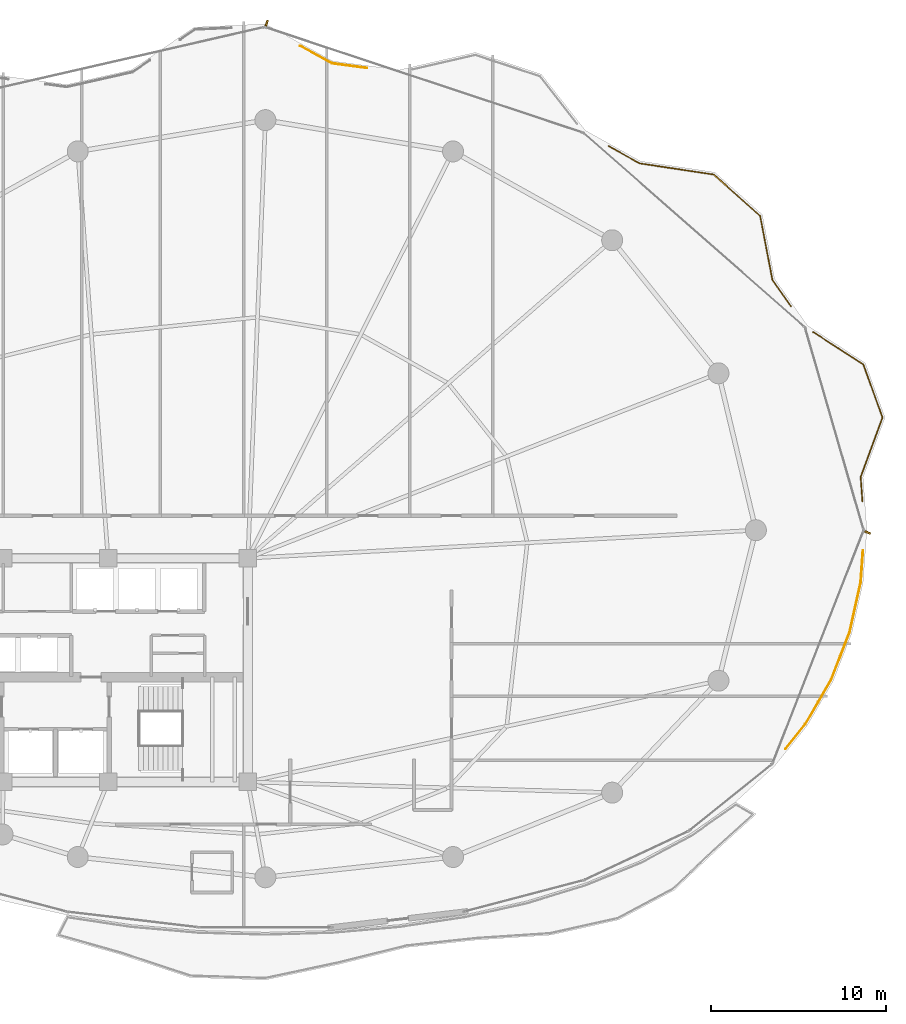
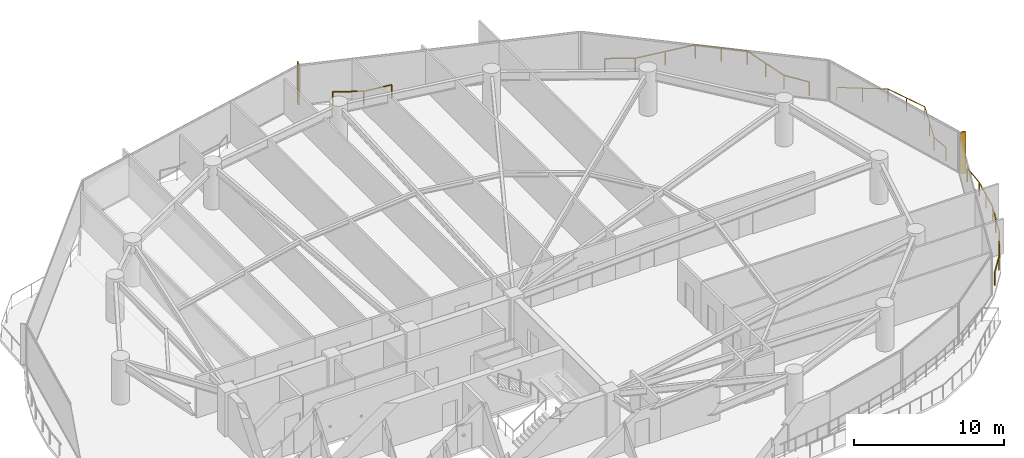
# One storey, part 34 of 34: 4 railings, 2 shading devices.
"""IFC4 building model written with IfcOpenShell, lengths in metres."""

from ifc_helpers import new_model, si_unit, direction, frame, origin, origin_2d, place, context, subcontext, project, spatial, rectangle, extrude, material, type_object, element, save


model = new_model("IFC4")

# Units and contexts
model_context = context("Model", 3, precision=1e-05, world=origin(), true_north=direction((0.0, 1.0)))
body_context = subcontext(model_context, "Body", "Model", "MODEL_VIEW")
ifc_project = project(units=[si_unit("LENGTHUNIT", "METRE"), si_unit("AREAUNIT", "SQUARE_METRE"), si_unit("VOLUMEUNIT", "CUBIC_METRE"), si_unit("PLANEANGLEUNIT", "RADIAN"), si_unit("MASSUNIT", "GRAM", prefix="KILO")], contexts=[model_context])

# Site, building, storey
site_placement = place(None, origin())
site = spatial("IfcSite", under=ifc_project, at=site_placement, CompositionType="ELEMENT")
building_placement = place(site_placement, origin())
building = spatial("IfcBuilding", under=site, at=building_placement, Name="Kazevale Care Tower and Concert Hall", CompositionType="ELEMENT")
storey_placement = place(building_placement, frame((0.0, 0.0, 174.60009765625)))
storey = spatial("IfcBuildingStorey", under=building, at=storey_placement, Name="L46", CompositionType="ELEMENT", Elevation=174.60009765625)

# Railings
ifc_material_1 = material(Name="Anodised Bronze Aluminium and Laminated Glass", Category="aluminium")
railing_type = type_object("IfcRailingType", Name="Balcony and Terrace Balustrade 1120", PredefinedType="BALUSTRADE", material=ifc_material_1)
railing_1_placement = place(storey_placement, frame((46.9970703125, 65.69091796875, 0.0)))
element("IfcRailing", 1, at=railing_1_placement, inside=storey, type_object=railing_type, Name="rail:L46:perim:7", PredefinedType="BALUSTRADE", context=body_context, shape_type="SweptSolid", body=[
    extrude(rectangle(XDim=0.048095703125, YDim=0.048095703125, at=origin_2d()), frame((0.0, 0.0, 1.09619140625), z_axis=(0.87612356574, -0.482086607939, 0.0), x_axis=(0.482086607939, 0.87612356574, 0.0)), (0.0, 0.0, 1.0), 2.065673828125),
    extrude(rectangle(XDim=0.048095703125, YDim=0.048095703125, at=origin_2d()), frame((1.809814453125, -0.995849609375, 1.09619140625), z_axis=(0.991221543474, -0.132211390405, 0.0), x_axis=(0.132211390405, 0.991221543474, 0.0)), (0.0, 0.0, 1.0), 2.0126953125),
    extrude(rectangle(XDim=0.0419921875, YDim=0.0419921875, at=origin_2d()), origin(), (0.0, 0.0, 1.0), 1.072021484375),
    extrude(rectangle(XDim=0.0419921875, YDim=0.0419921875, at=origin_2d()), frame((1.809814453125, -0.995849609375, 0.0)), (0.0, 0.0, 1.0), 1.072021484375),
    extrude(rectangle(XDim=0.0419921875, YDim=0.0419921875, at=origin_2d()), frame((3.804931640625, -1.261962890625, 0.0)), (0.0, 0.0, 1.0), 1.072021484375),
])
railing_2_placement = place(storey_placement, frame((64.614990234375, 59.969970703125, 0.0)))
element("IfcRailing", 2, at=railing_2_placement, inside=storey, type_object=railing_type, Name="rail:L46:perim:9", PredefinedType="BALUSTRADE", context=body_context, shape_type="SweptSolid", body=[
    extrude(rectangle(XDim=0.048095703125, YDim=0.048095703125, at=origin_2d()), frame((0.0, 0.0, 1.09619140625), z_axis=(0.873734672104, -0.486402840003, 0.0), x_axis=(0.486402840003, 0.873734672104, 0.0)), (0.0, 0.0, 1.0), 2.04541015625),
    extrude(rectangle(XDim=0.048095703125, YDim=0.048095703125, at=origin_2d()), frame((1.787109375, -0.994873046875, 1.09619140625), z_axis=(0.988889933801, -0.148649584013, 0.0), x_axis=(0.148649584013, 0.988889933801, 0.0)), (0.0, 0.0, 1.0), 4.28662109375),
    extrude(rectangle(XDim=0.048095703125, YDim=0.048095703125, at=origin_2d()), frame((6.026123046875, -1.632080078125, 1.09619140625), z_axis=(0.746657358329, -0.66520883131, 0.0), x_axis=(0.66520883131, 0.746657358329, 0.0)), (0.0, 0.0, 1.0), 3.549072265625),
    extrude(rectangle(XDim=0.048095703125, YDim=0.048095703125, at=origin_2d()), frame((8.676025390625, -3.992919921875, 1.09619140625), z_axis=(0.188517658656, -0.982069800154, 0.0), x_axis=(0.982069800154, 0.188517658656, 0.0)), (0.0, 0.0, 1.0), 3.73486328125),
    extrude(rectangle(XDim=0.048095703125, YDim=0.048095703125, at=origin_2d()), frame((9.380126953125, -7.660888671875, 1.09619140625), z_axis=(0.575885416581, -0.817530419599, 0.0), x_axis=(0.817530419599, 0.575885416581, 0.0)), (0.0, 0.0, 1.0), 1.850830078125),
    extrude(rectangle(XDim=0.0419921875, YDim=0.0419921875, at=origin_2d()), origin(), (0.0, 0.0, 1.0), 1.072021484375),
    extrude(rectangle(XDim=0.0419921875, YDim=0.0419921875, at=origin_2d()), frame((1.787109375, -0.994873046875, 0.0)), (0.0, 0.0, 1.0), 1.072021484375),
    extrude(rectangle(XDim=0.0419921875, YDim=0.0419921875, at=origin_2d()), frame((3.90673828125, -1.3134765625, 0.0)), (0.0, 0.0, 1.0), 1.072021484375),
    extrude(rectangle(XDim=0.0419921875, YDim=0.0419921875, at=origin_2d()), frame((6.026123046875, -1.632080078125, 0.0)), (0.0, 0.0, 1.0), 1.072021484375),
    extrude(rectangle(XDim=0.0419921875, YDim=0.0419921875, at=origin_2d()), frame((7.35107421875, -2.8125, 0.0)), (0.0, 0.0, 1.0), 1.072021484375),
    extrude(rectangle(XDim=0.0419921875, YDim=0.0419921875, at=origin_2d()), frame((8.676025390625, -3.992919921875, 0.0)), (0.0, 0.0, 1.0), 1.072021484375),
    extrude(rectangle(XDim=0.0419921875, YDim=0.0419921875, at=origin_2d()), frame((9.028076171875, -5.826904296875, 0.0)), (0.0, 0.0, 1.0), 1.072021484375),
    extrude(rectangle(XDim=0.0419921875, YDim=0.0419921875, at=origin_2d()), frame((9.380126953125, -7.660888671875, 0.0)), (0.0, 0.0, 1.0), 1.072021484375),
    extrude(rectangle(XDim=0.0419921875, YDim=0.0419921875, at=origin_2d()), frame((10.446044921875, -9.174072265625, 0.0)), (0.0, 0.0, 1.0), 1.072021484375),
])
railing_3_placement = place(storey_placement, frame((79.176025390625, 36.844970703125, 0.0)))
element("IfcRailing", 3, at=railing_3_placement, inside=storey, type_object=railing_type, Name="rail:L46:perim:10", PredefinedType="BALUSTRADE", context=body_context, shape_type="SweptSolid", body=[
    extrude(rectangle(XDim=0.048095703125, YDim=0.048095703125, at=origin_2d()), frame((0.0, 0.0, 1.09619140625), z_axis=(-0.071578588161, -0.997434963151, 0.0), x_axis=(0.997434963151, -0.071578588161, 0.0)), (0.0, 0.0, 1.0), 1.83154296875),
    extrude(rectangle(XDim=0.048095703125, YDim=0.048095703125, at=origin_2d()), frame((-0.131103515625, -1.826904296875, 1.09619140625), z_axis=(-0.217745961145, -0.9760054797, 0.0), x_axis=(0.9760054797, -0.217745961145, 0.0)), (0.0, 0.0, 1.0), 2.94775390625),
    extrude(rectangle(XDim=0.048095703125, YDim=0.048095703125, at=origin_2d()), frame((-0.77294921875, -4.703857421875, 1.09619140625), z_axis=(-0.363468066155, -0.931606657815, 0.0), x_axis=(0.931606657815, -0.363468066155, 0.0)), (0.0, 0.0, 1.0), 2.91650390625),
    extrude(rectangle(XDim=0.048095703125, YDim=0.048095703125, at=origin_2d()), frame((-1.8330078125, -7.4208984375, 1.09619140625), z_axis=(-0.502610267332, -0.864513111047, 0.0), x_axis=(0.864513111047, -0.502610267332, 0.0)), (0.0, 0.0, 1.0), 2.9150390625),
    extrude(rectangle(XDim=0.048095703125, YDim=0.048095703125, at=origin_2d()), frame((-3.298095703125, -9.94091796875, 1.09619140625), z_axis=(-0.628318296441, -0.777956373043, 0.0), x_axis=(0.777956373043, -0.628318296441, 0.0)), (0.0, 0.0, 1.0), 1.812744140625),
    extrude(rectangle(XDim=0.0419921875, YDim=0.0419921875, at=origin_2d()), origin(), (0.0, 0.0, 1.0), 1.072021484375),
    extrude(rectangle(XDim=0.0419921875, YDim=0.0419921875, at=origin_2d()), frame((-0.131103515625, -1.826904296875, 0.0)), (0.0, 0.0, 1.0), 1.072021484375),
    extrude(rectangle(XDim=0.0419921875, YDim=0.0419921875, at=origin_2d()), frame((-0.4521484375, -3.265380859375, 0.0)), (0.0, 0.0, 1.0), 1.072021484375),
    extrude(rectangle(XDim=0.0419921875, YDim=0.0419921875, at=origin_2d()), frame((-0.77294921875, -4.703857421875, 0.0)), (0.0, 0.0, 1.0), 1.072021484375),
    extrude(rectangle(XDim=0.0419921875, YDim=0.0419921875, at=origin_2d()), frame((-1.302978515625, -6.0625, 0.0)), (0.0, 0.0, 1.0), 1.072021484375),
    extrude(rectangle(XDim=0.0419921875, YDim=0.0419921875, at=origin_2d()), frame((-1.8330078125, -7.4208984375, 0.0)), (0.0, 0.0, 1.0), 1.072021484375),
    extrude(rectangle(XDim=0.0419921875, YDim=0.0419921875, at=origin_2d()), frame((-2.5654296875, -8.680908203125, 0.0)), (0.0, 0.0, 1.0), 1.072021484375),
    extrude(rectangle(XDim=0.0419921875, YDim=0.0419921875, at=origin_2d()), frame((-3.298095703125, -9.94091796875, 0.0)), (0.0, 0.0, 1.0), 1.072021484375),
    extrude(rectangle(XDim=0.0419921875, YDim=0.0419921875, at=origin_2d()), frame((-4.43701171875, -11.35107421875, 0.0)), (0.0, 0.0, 1.0), 1.072021484375),
])
railing_4_placement = place(storey_placement, frame((76.3359375, 49.324951171875, 0.0)))
element("IfcRailing", 4, at=railing_4_placement, inside=storey, type_object=railing_type, Name="rail:L46:perim:11", PredefinedType="BALUSTRADE", context=body_context, shape_type="SweptSolid", body=[
    extrude(rectangle(XDim=0.048095703125, YDim=0.048095703125, at=origin_2d()), frame((0.0, 0.0, 1.09619140625), z_axis=(0.838906479955, -0.544275590018, 0.0), x_axis=(0.544275590018, 0.838906479955, 0.0)), (0.0, 0.0, 1.0), 3.408203125),
    extrude(rectangle(XDim=0.048095703125, YDim=0.048095703125, at=origin_2d()), frame((2.859130859375, -1.85498046875, 1.09619140625), z_axis=(0.340056192401, -0.940405118026, 0.0), x_axis=(0.940405118026, 0.340056192401, 0.0)), (0.0, 0.0, 1.0), 3.219970703125),
    extrude(rectangle(XDim=0.048095703125, YDim=0.048095703125, at=origin_2d()), frame((3.9541015625, -4.883056640625, 1.09619140625), z_axis=(-0.344686514971, -0.938717852391, 0.0), x_axis=(0.938717852391, -0.344686514971, 0.0)), (0.0, 0.0, 1.0), 3.620849609375),
    extrude(rectangle(XDim=0.048095703125, YDim=0.048095703125, at=origin_2d()), frame((2.7060546875, -8.281982421875, 1.09619140625), z_axis=(0.071504807896, -0.997440255077, 0.0), x_axis=(0.997440255077, 0.071504807896, 0.0)), (0.0, 0.0, 1.0), 1.41357421875),
    extrude(rectangle(XDim=0.0419921875, YDim=0.0419921875, at=origin_2d()), origin(), (0.0, 0.0, 1.0), 1.072021484375),
    extrude(rectangle(XDim=0.0419921875, YDim=0.0419921875, at=origin_2d()), frame((1.4296875, -0.927490234375, 0.0)), (0.0, 0.0, 1.0), 1.072021484375),
    extrude(rectangle(XDim=0.0419921875, YDim=0.0419921875, at=origin_2d()), frame((2.859130859375, -1.85498046875, 0.0)), (0.0, 0.0, 1.0), 1.072021484375),
    extrude(rectangle(XDim=0.0419921875, YDim=0.0419921875, at=origin_2d()), frame((3.40673828125, -3.369140625, 0.0)), (0.0, 0.0, 1.0), 1.072021484375),
    extrude(rectangle(XDim=0.0419921875, YDim=0.0419921875, at=origin_2d()), frame((3.9541015625, -4.883056640625, 0.0)), (0.0, 0.0, 1.0), 1.072021484375),
    extrude(rectangle(XDim=0.0419921875, YDim=0.0419921875, at=origin_2d()), frame((3.330078125, -6.58251953125, 0.0)), (0.0, 0.0, 1.0), 1.072021484375),
    extrude(rectangle(XDim=0.0419921875, YDim=0.0419921875, at=origin_2d()), frame((2.7060546875, -8.281982421875, 0.0)), (0.0, 0.0, 1.0), 1.072021484375),
    extrude(rectangle(XDim=0.0419921875, YDim=0.0419921875, at=origin_2d()), frame((2.80712890625, -9.69189453125, 0.0)), (0.0, 0.0, 1.0), 1.072021484375),
])

# Shading devices
ifc_material_2 = material(Name="Anodised Bronze Aluminium", Category="aluminium")
shading_device_type = type_object("IfcShadingDeviceType", Name="Waist Anodised Bronze-Stone Fin FIN-02", PredefinedType="USERDEFINED", material=ifc_material_2)
for number, where, z_axis, x_axis, name in (
    (5, (79.44384765625, 37.869384765625, 0.0), (0.0, 0.0, 1.0), (0.931373876365, -0.364064146031, 0.0), "cw:L46:f01:fin"),
    (6, (45.07666015625, 66.998291015625, 0.0), (0.0, 0.0, 1.0), (0.314820866332, 0.949151106053, 0.0), "cw:L46:f16:fin"),
):
    element("IfcShadingDevice", number, at=place(storey_placement, frame(where, z_axis=z_axis, x_axis=x_axis)), inside=storey, type_object=shading_device_type, Name=name, ObjectType="FIN", PredefinedType="USERDEFINED", context=body_context, shape_type="SweptSolid", body=[
        extrude(rectangle(XDim=0.340087890625, YDim=0.10009765625, at=origin_2d()), origin(), (0.0, 0.0, 1.0), 3.360107421875),
    ])

save(model, "model.ifc")
